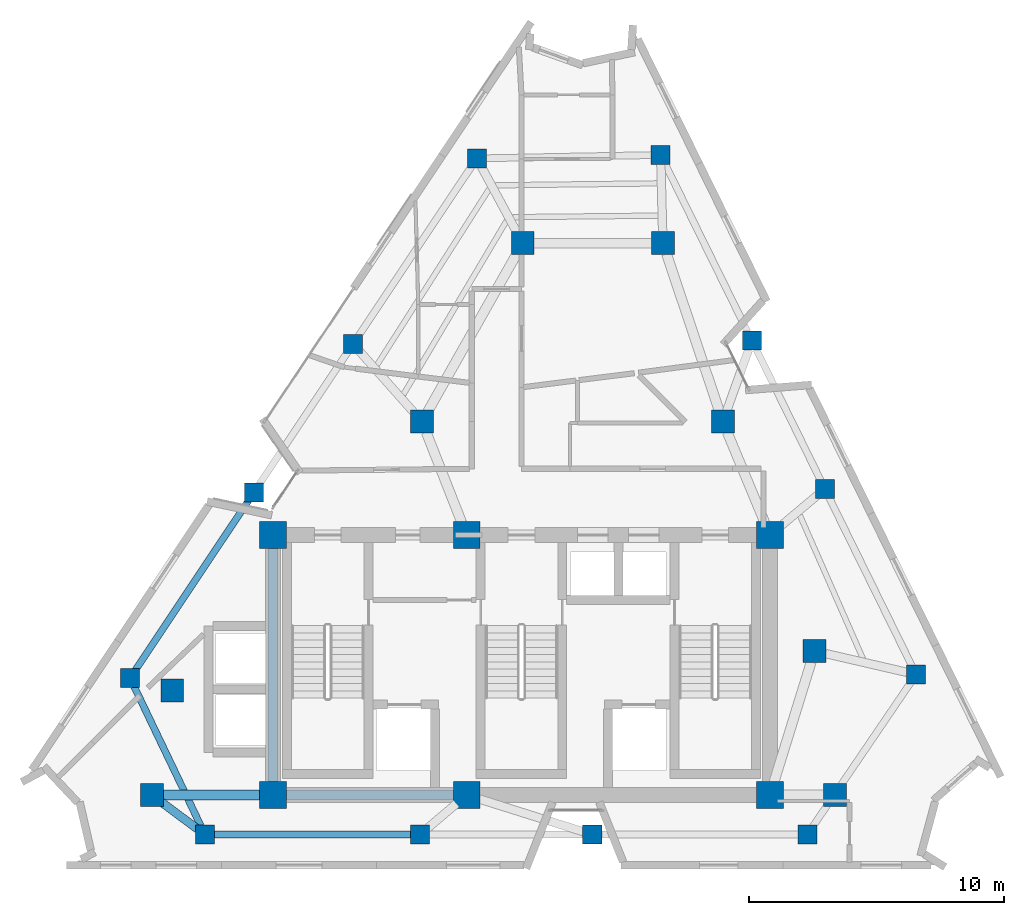
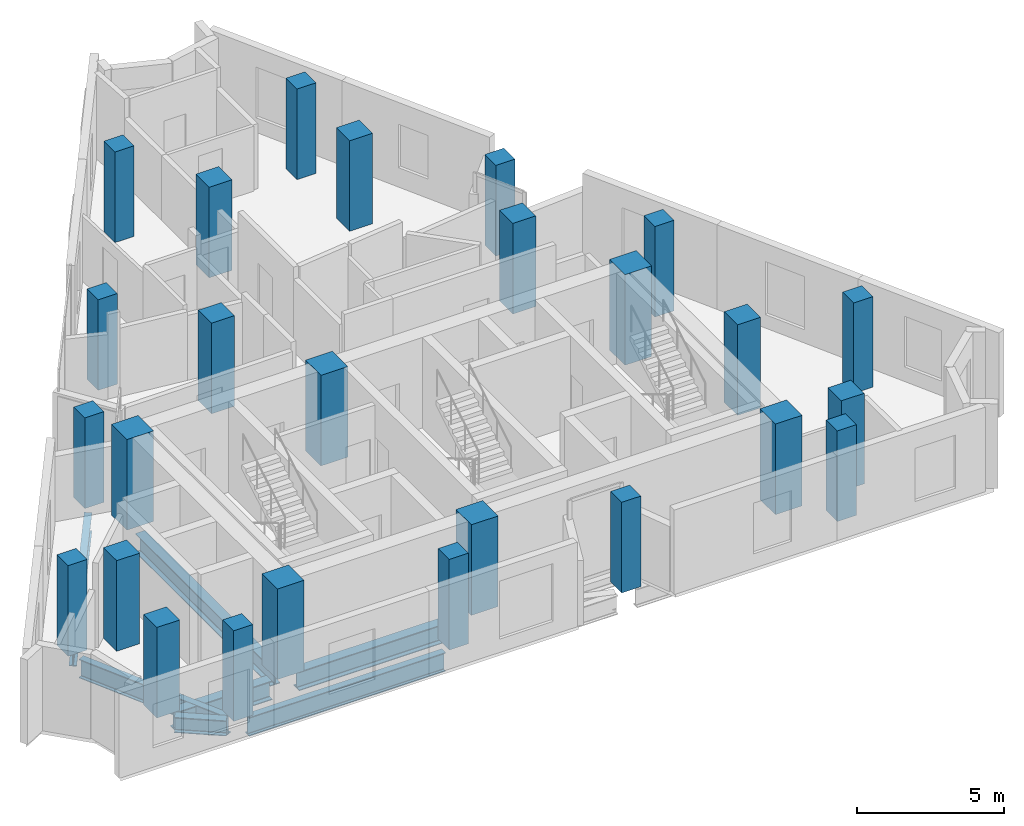
# One storey, part 1 of 8: 26 columns, 7 beams.
"""IFC4 building model written with IfcOpenShell, lengths in metres."""

from ifc_helpers import new_model, si_unit, direction, frame, origin, origin_2d, place, context, subcontext, project, spatial, rectangle, i_section, extrude, material, material_profile, profile_set, type_object, element, save


model = new_model("IFC4")

# Units and contexts
model_context = context("Model", 3, precision=1e-05, world=origin(), true_north=direction((0.0, 1.0)))
body_context = subcontext(model_context, "Body", "Model", "MODEL_VIEW")
ifc_project = project(units=[si_unit("LENGTHUNIT", "METRE"), si_unit("AREAUNIT", "SQUARE_METRE"), si_unit("VOLUMEUNIT", "CUBIC_METRE"), si_unit("PLANEANGLEUNIT", "RADIAN"), si_unit("MASSUNIT", "GRAM", prefix="KILO")], contexts=[model_context])

# Site, building, storey
site_placement = place(None, origin())
site = spatial("IfcSite", under=ifc_project, at=site_placement, CompositionType="ELEMENT")
building_placement = place(site_placement, origin())
building = spatial("IfcBuilding", under=site, at=building_placement, Name="Almagre Mirador Tower", CompositionType="ELEMENT")
storey_placement = place(building_placement, frame((0.0, 0.0, 282.0)))
storey = spatial("IfcBuildingStorey", under=building, at=storey_placement, Name="L73", CompositionType="ELEMENT", Elevation=282.0)

# Columns
ifc_material_1 = material(Name="Concrete C60/75", Category="concrete")
ifc_material_profile_1 = material_profile(ifc_material_1, rectangle(XDim=1.050048828125, YDim=1.050048828125, at=origin_2d()), Name="RC1050X1050")
ifc_profile_set_1 = profile_set([ifc_material_profile_1], Name="Concrete C60/75")
column_type_1 = type_object("IfcColumnType", Name="COL-RC1050", PredefinedType="COLUMN", material=ifc_profile_set_1)
for number, where, z_axis, x_axis, name in (
    (1, (27.550048828125, 4.550048828125, 0.0), (0.0, 0.0, 1.0), (1.0, 0.0, 0.0), "L73 core spine column CC1"),
    (2, (35.14990234375, 4.550048828125, 0.0), (0.0, 0.0, 1.0), (1.0, 0.0, 0.0), "L73 core spine column CC2"),
    (3, (47.050048828125, 4.550048828125, 0.0), (0.0, 0.0, 1.0), (1.0, 0.0, 0.0), "L73 core spine column CC3"),
    (4, (27.550048828125, 14.75, 0.0), (0.0, 0.0, 1.0), (1.0, 0.0, 0.0), "L73 core spine column CC4"),
    (5, (35.14990234375, 14.75, 0.0), (0.0, 0.0, 1.0), (1.0, 0.0, 0.0), "L73 core spine column CC5"),
    (6, (47.050048828125, 14.75, 0.0), (0.0, 0.0, 1.0), (1.0, 0.0, 0.0), "L73 core spine column CC6"),
):
    element("IfcColumn", number, at=place(storey_placement, frame(where, z_axis=z_axis, x_axis=x_axis)), inside=storey, type_object=column_type_1, Name=name, PredefinedType="COLUMN", context=body_context, shape_type="SweptSolid", body=[
        extrude(rectangle(XDim=1.050048828125, YDim=1.050048828125, at=origin_2d()), origin(), (0.0, 0.0, 1.0), 3.75),
    ])
ifc_material_2 = material(Name="Concrete C60/75", Category="concrete")
ifc_material_profile_2 = material_profile(ifc_material_2, rectangle(XDim=0.75, YDim=0.75, at=origin_2d()), Name="RC750X750")
ifc_profile_set_2 = profile_set([ifc_material_profile_2], Name="Concrete C60/75")
column_type_2 = type_object("IfcColumnType", Name="COL-RC750", PredefinedType="COLUMN", material=ifc_profile_set_2)
for number, where, z_axis, x_axis, name in (
    (7, (24.884033203125, 3.0, 0.0), (0.0, 0.0, 1.0), (1.0, 0.0, 0.0), "L73 perimeter column PC01"),
    (8, (33.323974609375, 3.0, 0.0), (0.0, 0.0, 1.0), (1.0, 0.0, 0.0), "L73 perimeter column PC02"),
    (9, (40.075927734375, 3.0, 0.0), (0.0, 0.0, 1.0), (1.0, 0.0, 0.0), "L73 perimeter column PC03"),
    (10, (48.51611328125, 3.0, 0.0), (0.0, 0.0, 1.0), (1.0, 0.0, 0.0), "L73 perimeter column PC04"),
    (11, (52.784912109375, 9.278076171875, 0.0), (0.0, 0.0, 1.0), (1.0, 0.0, 0.0), "L73 perimeter column PC05"),
    (12, (49.205078125, 16.55810546875, 0.0), (0.0, 0.0, 1.0), (1.0, 0.0, 0.0), "L73 perimeter column PC06"),
    (13, (46.341064453125, 22.382080078125, 0.0), (0.0, 0.0, 1.0), (1.0, 0.0, 0.0), "L73 perimeter column PC07"),
    (14, (42.760986328125, 29.662109375, 0.0), (0.0, 0.0, 1.0), (1.0, 0.0, 0.0), "L73 perimeter column PC08"),
    (15, (35.552001953125, 29.52587890625, 0.0), (0.0, 0.0, 1.0), (1.0, 0.0, 0.0), "L73 perimeter column PC09"),
    (16, (30.69189453125, 22.24609375, 0.0), (0.0, 0.0, 1.0), (1.0, 0.0, 0.0), "L73 perimeter column PC10"),
    (17, (26.803955078125, 16.422119140625, 0.0), (0.0, 0.0, 1.0), (1.0, 0.0, 0.0), "L73 perimeter column PC11"),
    (18, (21.944091796875, 9.14208984375, 0.0), (0.0, 0.0, 1.0), (1.0, 0.0, 0.0), "L73 perimeter column PC12"),
):
    element("IfcColumn", number, at=place(storey_placement, frame(where, z_axis=z_axis, x_axis=x_axis)), inside=storey, type_object=column_type_2, Name=name, PredefinedType="COLUMN", context=body_context, shape_type="SweptSolid", body=[
        extrude(rectangle(XDim=0.75, YDim=0.75, at=origin_2d()), origin(), (0.0, 0.0, 1.0), 3.75),
    ])
ifc_material_3 = material(Name="Concrete C60/75", Category="concrete")
ifc_material_profile_3 = material_profile(ifc_material_3, rectangle(XDim=0.89990234375, YDim=0.89990234375, at=origin_2d()), Name="RC900X900")
ifc_profile_set_3 = profile_set([ifc_material_profile_3], Name="Concrete C60/75")
column_type_3 = type_object("IfcColumnType", Name="COL-RC900", PredefinedType="COLUMN", material=ifc_profile_set_3)
for number, where, z_axis, x_axis, name in (
    (19, (22.800048828125, 4.550048828125, 0.0), (0.0, 0.0, 1.0), (1.0, 0.0, 0.0), "L73 interior transfer column MC1"),
    (20, (49.60009765625, 4.550048828125, 0.0), (0.0, 0.0, 1.0), (1.0, 0.0, 0.0), "L73 interior transfer column MC2"),
    (21, (48.800048828125, 10.199951171875, 0.0), (0.0, 0.0, 1.0), (1.0, 0.0, 0.0), "L73 interior transfer column MC3"),
    (22, (45.199951171875, 19.199951171875, 0.0), (0.0, 0.0, 1.0), (1.0, 0.0, 0.0), "L73 interior transfer column MC5"),
    (23, (42.85009765625, 26.199951171875, 0.0), (0.0, 0.0, 1.0), (1.0, 0.0, 0.0), "L73 interior transfer column MC6"),
    (24, (37.35009765625, 26.199951171875, 0.0), (0.0, 0.0, 1.0), (1.0, 0.0, 0.0), "L73 interior transfer column MC7"),
    (25, (33.39990234375, 19.199951171875, 0.0), (0.0, 0.0, 1.0), (1.0, 0.0, 0.0), "L73 interior transfer column MC8"),
    (26, (23.60009765625, 8.64990234375, 0.0), (0.0, 0.0, 1.0), (1.0, 0.0, 0.0), "L73 interior transfer column MC10"),
):
    element("IfcColumn", number, at=place(storey_placement, frame(where, z_axis=z_axis, x_axis=x_axis)), inside=storey, type_object=column_type_3, Name=name, PredefinedType="COLUMN", context=body_context, shape_type="SweptSolid", body=[
        extrude(rectangle(XDim=0.89990234375, YDim=0.89990234375, at=origin_2d()), origin(), (0.0, 0.0, 1.0), 3.75),
    ])

# Beams
ifc_material_4 = material(Name="Steel ASTM A992 Grade 50", Category="steel")
ifc_material_profile_4 = material_profile(ifc_material_4, i_section(OverallWidth=0.26708984375, OverallDepth=0.779052734375, WebThickness=0.0166015625, FlangeThickness=0.030029296875, FilletRadius=0.02392578125, at=origin_2d()), Name="W30X148")
ifc_profile_set_4 = profile_set([ifc_material_profile_4], Name="Steel ASTM A992 Grade 50")
beam_type_1 = type_object("IfcBeamType", Name="BM-SPN-W30X148", PredefinedType="SPANDREL", material=ifc_profile_set_4)
beam_1_placement = place(storey_placement, frame((25.259033203125, 3.0, -0.639404296875), z_axis=(1.0, 0.0, 0.0), x_axis=(0.0, 1.0, 0.0)))
element("IfcBeam", 27, at=beam_1_placement, inside=storey, type_object=beam_type_1, Name="L73 perimeter spandrel beam PC01-PC02", PredefinedType="SPANDREL", context=body_context, shape_type="SweptSolid", body=[
    extrude(i_section(OverallWidth=0.26708984375, OverallDepth=0.779052734375, WebThickness=0.0166015625, FlangeThickness=0.030029296875, FilletRadius=0.02392578125, at=origin_2d()), origin(), (0.0, 0.0, 1.0), 7.68994140625),
])
beam_2_placement = place(storey_placement, frame((26.595703125, 16.110107421875, -0.639404296875), z_axis=(-0.555228061938, -0.831698141898, 0.0), x_axis=(0.831698141898, -0.555228061938, 0.0)))
element("IfcBeam", 28, at=beam_2_placement, inside=storey, type_object=beam_type_1, Name="L73 perimeter spandrel beam PC11-PC12", PredefinedType="SPANDREL", context=body_context, shape_type="SweptSolid", body=[
    extrude(i_section(OverallWidth=0.26708984375, OverallDepth=0.779052734375, WebThickness=0.0166015625, FlangeThickness=0.030029296875, FilletRadius=0.02392578125, at=origin_2d()), origin(), (0.0, 0.0, 1.0), 8.003173828125),
])
beam_3_placement = place(storey_placement, frame((22.10595703125, 8.8037109375, -0.639404296875), z_axis=(0.431756290683, -0.901990302307, 0.0), x_axis=(0.901990302307, 0.431756290683, 0.0)))
element("IfcBeam", 29, at=beam_3_placement, inside=storey, type_object=beam_type_1, Name="L73 perimeter spandrel beam PC12-PC01", PredefinedType="SPANDREL", context=body_context, shape_type="SweptSolid", body=[
    extrude(i_section(OverallWidth=0.26708984375, OverallDepth=0.779052734375, WebThickness=0.0166015625, FlangeThickness=0.030029296875, FilletRadius=0.02392578125, at=origin_2d()), origin(), (0.0, 0.0, 1.0), 6.0595703125),
])
ifc_material_5 = material(Name="Steel ASTM A992 Grade 50", Category="steel")
ifc_material_profile_5 = material_profile(ifc_material_5, i_section(OverallWidth=0.330078125, OverallDepth=0.635009765625, WebThickness=0.017822265625, FlangeThickness=0.031005859375, FilletRadius=0.02001953125, at=origin_2d()), Name="W24X162")
ifc_profile_set_5 = profile_set([ifc_material_profile_5], Name="Steel ASTM A992 Grade 50")
beam_type_2 = type_object("IfcBeamType", Name="BM-STL-W24X162", PredefinedType="BEAM", material=ifc_profile_set_5)
beam_4_placement = place(storey_placement, frame((24.5830078125, 3.223876953125, -0.5673828125), z_axis=(-0.802374373866, 0.596821048693, 0.0), x_axis=(-0.596821048693, -0.802374373866, 0.0)))
element("IfcBeam", 30, at=beam_4_placement, inside=storey, type_object=beam_type_2, Name="L73 radial floor girder PC01-MC1", PredefinedType="BEAM", context=body_context, shape_type="SweptSolid", body=[
    extrude(i_section(OverallWidth=0.330078125, OverallDepth=0.635009765625, WebThickness=0.017822265625, FlangeThickness=0.031005859375, FilletRadius=0.02001953125, at=origin_2d()), origin(), (0.0, 0.0, 1.0), 1.77197265625),
])
ifc_material_6 = material(Name="Steel ASTM A992 Grade 50", Category="steel")
ifc_material_profile_6 = material_profile(ifc_material_6, i_section(OverallWidth=0.384033203125, OverallDepth=0.784912109375, WebThickness=0.019775390625, FlangeThickness=0.033447265625, FilletRadius=0.02392578125, at=origin_2d()), Name="W30X211")
ifc_profile_set_6 = profile_set([ifc_material_profile_6], Name="Steel ASTM A992 Grade 50")
beam_type_3 = type_object("IfcBeamType", Name="BM-STL-W30X211", PredefinedType="BEAM", material=ifc_profile_set_6)
beam_5_placement = place(storey_placement, frame((28.074951171875, 4.550048828125, -0.642578125), z_axis=(1.0, 0.0, 0.0), x_axis=(0.0, 1.0, 0.0)))
element("IfcBeam", 31, at=beam_5_placement, inside=storey, type_object=beam_type_3, Name="L73 core tie girder CC1-CC2", PredefinedType="BEAM", context=body_context, shape_type="SweptSolid", body=[
    extrude(i_section(OverallWidth=0.384033203125, OverallDepth=0.784912109375, WebThickness=0.019775390625, FlangeThickness=0.033447265625, FilletRadius=0.02392578125, at=origin_2d()), origin(), (0.0, 0.0, 1.0), 6.550048828125),
])
beam_6_placement = place(storey_placement, frame((27.550048828125, 5.074951171875, -0.642578125), z_axis=(0.0, 1.0, 0.0), x_axis=(-1.0, 0.0, 0.0)))
element("IfcBeam", 32, at=beam_6_placement, inside=storey, type_object=beam_type_3, Name="L73 core tie girder CC1-CC4", PredefinedType="BEAM", context=body_context, shape_type="SweptSolid", body=[
    extrude(i_section(OverallWidth=0.384033203125, OverallDepth=0.784912109375, WebThickness=0.019775390625, FlangeThickness=0.033447265625, FilletRadius=0.02392578125, at=origin_2d()), origin(), (0.0, 0.0, 1.0), 9.150146484375),
])
beam_7_placement = place(storey_placement, frame((23.25, 4.550048828125, -0.642578125), z_axis=(1.0, 0.0, 0.0), x_axis=(0.0, 1.0, 0.0)))
element("IfcBeam", 33, at=beam_7_placement, inside=storey, type_object=beam_type_3, Name="L73 core tie girder MC1-CC1", PredefinedType="BEAM", context=body_context, shape_type="SweptSolid", body=[
    extrude(i_section(OverallWidth=0.384033203125, OverallDepth=0.784912109375, WebThickness=0.019775390625, FlangeThickness=0.033447265625, FilletRadius=0.02392578125, at=origin_2d()), origin(), (0.0, 0.0, 1.0), 3.77490234375),
])

save(model, "model.ifc")
